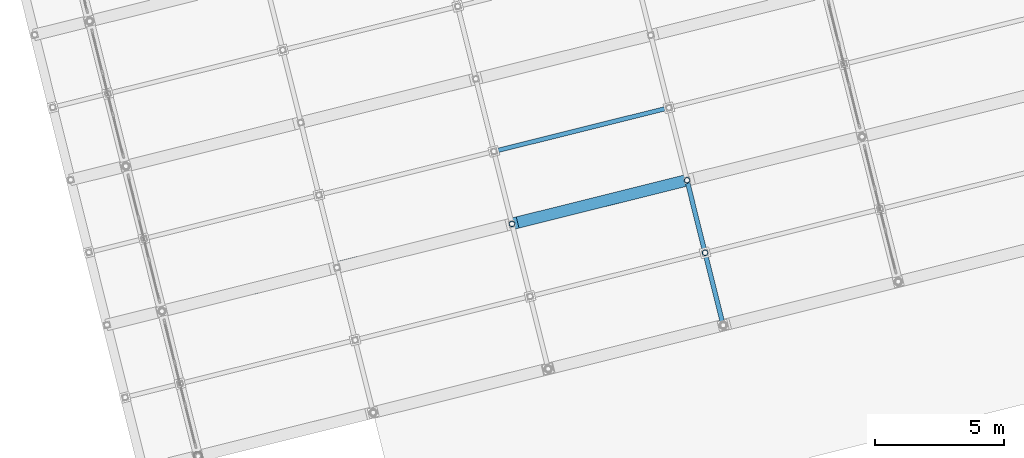
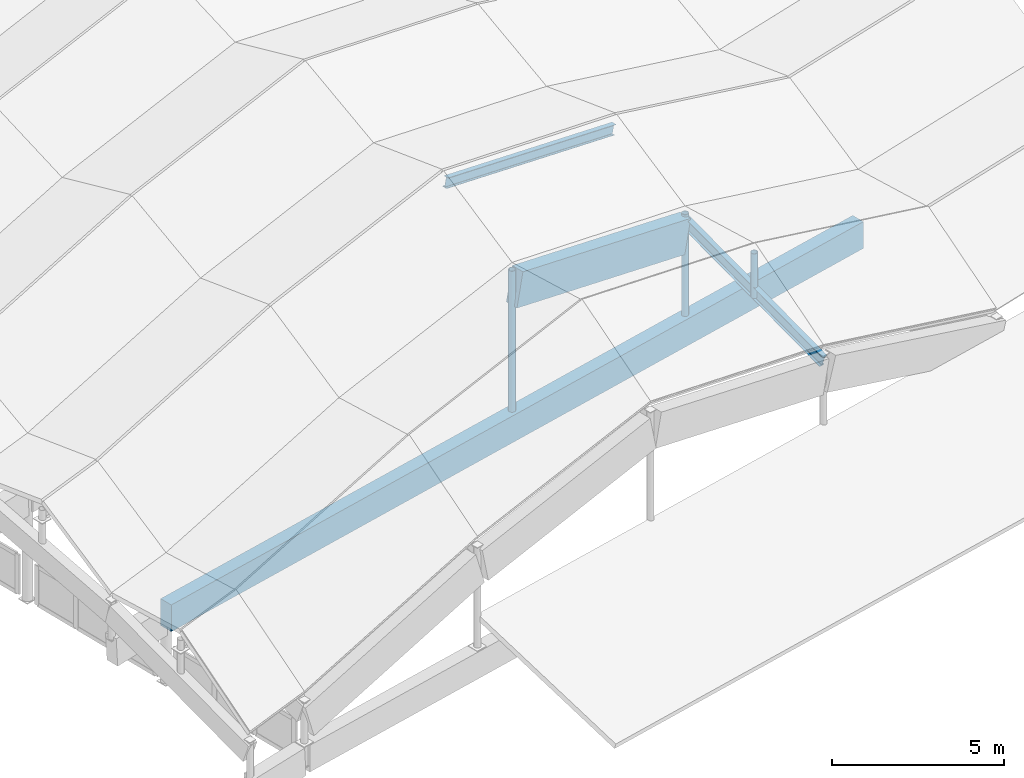
# One storey, part 18 of 65: 4 beams, 3 members.
"""IFC4 building model written with IfcOpenShell, lengths in metres."""

from ifc_helpers import new_model, si_unit, direction, frame, origin, origin_2d, place, context, subcontext, project, spatial, rectangle, hollow_circle, i_section, extrude, material, material_profile, profile_set, type_object, element, save


model = new_model("IFC4")

# Units and contexts
model_context = context("Model", 3, precision=1e-05, world=origin(), true_north=direction((0.0, 1.0)))
body_context = subcontext(model_context, "Body", "Model", "MODEL_VIEW")
ifc_project = project(units=[si_unit("LENGTHUNIT", "METRE"), si_unit("AREAUNIT", "SQUARE_METRE"), si_unit("VOLUMEUNIT", "CUBIC_METRE"), si_unit("PLANEANGLEUNIT", "RADIAN"), si_unit("MASSUNIT", "GRAM", prefix="KILO")], contexts=[model_context])

# Site, building, storey
site_placement = place(None, origin())
site = spatial("IfcSite", under=ifc_project, at=site_placement, CompositionType="ELEMENT")
building_placement = place(site_placement, origin())
building = spatial("IfcBuilding", under=site, at=building_placement, Name="Cinderway Yard Community Centre", CompositionType="ELEMENT")
storey_placement = place(building_placement, frame((0.0, 0.0, 24.300048828125)))
storey = spatial("IfcBuildingStorey", under=building, at=storey_placement, Name="RF", CompositionType="ELEMENT", Elevation=24.300048828125)

# Beams
ifc_material_1 = material(Name="Concrete C40/50", Category="concrete")
ifc_material_profile_1 = material_profile(ifc_material_1, rectangle(XDim=0.449951171875, YDim=1.199951171875, at=origin_2d()), Name="Concrete C40/50")
ifc_profile_set_1 = profile_set([ifc_material_profile_1], Name="Concrete C40/50")
beam_type_1 = type_object("IfcBeamType", Name="STR-BM-RC450X1200", PredefinedType="BEAM", material=ifc_profile_set_1)
beam_1_placement = place(storey_placement, frame((32.092041015625, 34.156982421875, -4.256103515625), z_axis=(0.950303016115, 0.236977149046, -0.201905939469), x_axis=(-0.241960342359, 0.970286139613, 0.0)))
element("IfcBeam", 1, at=beam_1_placement, inside=storey, type_object=beam_type_1, Name="Main Hall arch rib segment 02.3", PredefinedType="BEAM", context=body_context, shape_type="SweptSolid", body=[
    extrude(rectangle(XDim=0.449951171875, YDim=1.199951171875, at=origin_2d()), origin(), (0.0, 0.0, 1.0), 6.933349609375),
])
ifc_material_profile_2 = material_profile(ifc_material_1, rectangle(XDim=0.449951171875, YDim=0.949951171875, at=origin_2d()), Name="Concrete C40/50")
ifc_profile_set_2 = profile_set([ifc_material_profile_2], Name="Concrete C40/50")
beam_type_2 = type_object("IfcBeamType", Name="STR-BM-RC450X950", PredefinedType="BEAM", material=ifc_profile_set_2)
beam_2_placement = place(storey_placement, frame((18.406005859375, 30.7451171875, -9.06103515625), z_axis=(0.970304357558, 0.241887274787, 0.0), x_axis=(-0.241887274787, 0.970304357558, 0.0)))
element("IfcBeam", 2, at=beam_2_placement, inside=storey, type_object=beam_type_2, Name="Main Hall folded-plate arch tie girder 02", PredefinedType="BEAM", context=body_context, shape_type="SweptSolid", body=[
    extrude(rectangle(XDim=0.449951171875, YDim=0.949951171875, at=origin_2d()), origin(), (0.0, 0.0, 1.0), 28.00048828125),
])
ifc_material_2 = material(Name="Steel S355", Category="steel")
ifc_material_profile_3 = material_profile(ifc_material_2, i_section(OverallWidth=0.172119140625, OverallDepth=0.35791015625, WebThickness=0.0078125, FlangeThickness=0.01318359375, FilletRadius=0.010986328125, at=origin_2d()), Name="Steel S355")
ifc_profile_set_3 = profile_set([ifc_material_profile_3], Name="Steel S355")
beam_type_3 = type_object("IfcBeamType", Name="STR-BM-W360X57", PredefinedType="JOIST", material=ifc_profile_set_3)
beam_3_placement = place(storey_placement, frame((31.39111328125, 36.970947265625, -1.9970703125), z_axis=(0.950321081007, 0.236875911312, -0.201939707919), x_axis=(-0.241858695017, 0.970311481765, 0.0)))
element("IfcBeam", 3, at=beam_3_placement, inside=storey, type_object=beam_type_3, Name="Folded-plate ridge beam B2.4", PredefinedType="JOIST", context=body_context, shape_type="SweptSolid", body=[
    extrude(i_section(OverallWidth=0.172119140625, OverallDepth=0.35791015625, WebThickness=0.0078125, FlangeThickness=0.01318359375, FilletRadius=0.010986328125, at=origin_2d()), origin(), (0.0, 0.0, 1.0), 6.932373046875),
])
ifc_material_profile_4 = material_profile(ifc_material_2, i_section(OverallWidth=0.178955078125, OverallDepth=0.409912109375, WebThickness=0.0087890625, FlangeThickness=0.013427734375, FilletRadius=0.011962890625, at=origin_2d()), Name="Steel S355")
ifc_profile_set_4 = profile_set([ifc_material_profile_4], Name="Steel S355")
beam_type_4 = type_object("IfcBeamType", Name="STR-BM-W410X67", PredefinedType="JOIST", material=ifc_profile_set_4)
beam_4_placement = place(storey_placement, frame((40.18603515625, 30.197021484375, -7.324951171875), z_axis=(-0.227902575653, 0.91414828153, 0.335251152701), x_axis=(-0.97030075642, -0.2419017199, 0.0)))
element("IfcBeam", 4, at=beam_4_placement, inside=storey, type_object=beam_type_4, Name="Folded-plate valley beam B1-U21", PredefinedType="JOIST", context=body_context, shape_type="SweptSolid", body=[
    extrude(i_section(OverallWidth=0.178955078125, OverallDepth=0.409912109375, WebThickness=0.0087890625, FlangeThickness=0.013427734375, FilletRadius=0.011962890625, at=origin_2d()), origin(), (0.0, 0.0, 1.0), 6.156494140625),
])

# Members
ifc_material_profile_5 = material_profile(ifc_material_2, hollow_circle(Radius=0.109619140625, WallThickness=0.010009765625, at=origin_2d()), Name="Steel S355")
ifc_profile_set_5 = profile_set([ifc_material_profile_5], Name="Steel S355")
member_type = type_object("IfcMemberType", Name="STR-MEM-STRUT-CHS219", PredefinedType="STRUT", material=ifc_profile_set_5)
member_1_placement = place(storey_placement, frame((31.989990234375, 34.131103515625, -8.68603515625), z_axis=(0.0, 0.0, 1.0), x_axis=(1.0, 0.0, 0.0)))
element("IfcMember", 5, at=member_1_placement, inside=storey, type_object=member_type, Name="Arch rib web post 02-14", PredefinedType="STRUT", context=body_context, shape_type="SweptSolid", body=[
    extrude(hollow_circle(Radius=0.109619140625, WallThickness=0.010009765625, at=origin_2d()), origin(), (0.0, 0.0, 1.0), 5.110107421875),
])
member_2_placement = place(storey_placement, frame((38.782958984375, 35.824951171875, -8.68603515625), z_axis=(0.0, 0.0, 1.0), x_axis=(1.0, 0.0, 0.0)))
element("IfcMember", 6, at=member_2_placement, inside=storey, type_object=member_type, Name="Arch rib web post 02-21", PredefinedType="STRUT", context=body_context, shape_type="SweptSolid", body=[
    extrude(hollow_circle(Radius=0.109619140625, WallThickness=0.010009765625, at=origin_2d()), origin(), (0.0, 0.0, 1.0), 3.7099609375),
])
member_3_placement = place(storey_placement, frame((39.48388671875, 33.010986328125, -6.488037109375), z_axis=(0.0, 0.0, 1.0), x_axis=(1.0, 0.0, 0.0)))
element("IfcMember", 7, at=member_3_placement, inside=storey, type_object=member_type, Name="Folded-plate ridge kingpost B1-U21", PredefinedType="STRUT", context=body_context, shape_type="SweptSolid", body=[
    extrude(hollow_circle(Radius=0.109619140625, WallThickness=0.010009765625, at=origin_2d()), origin(), (0.0, 0.0, 1.0), 1.583984375),
])

save(model, "model.ifc")
